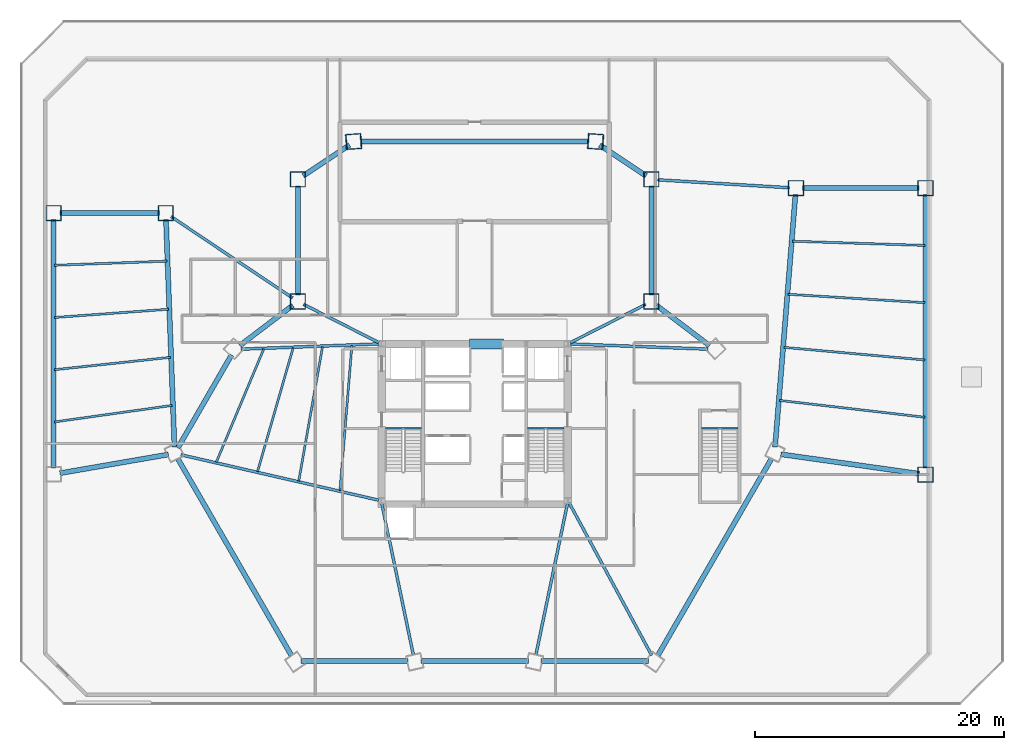
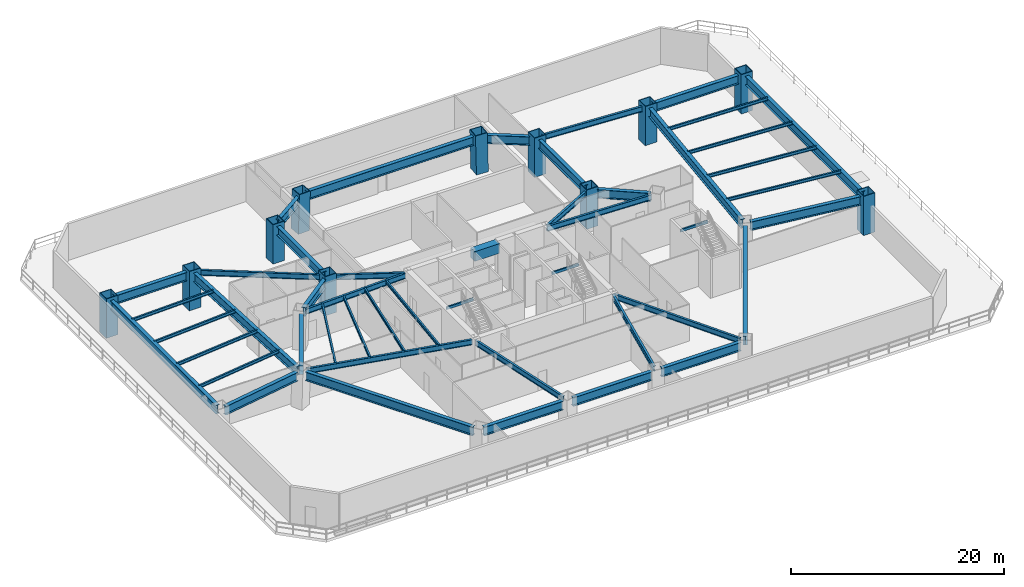
# One storey, part 3 of 13: 47 beams, 11 columns.
"""IFC4 building model written with IfcOpenShell, lengths in metres."""

from ifc_helpers import new_model, si_unit, direction, frame, origin, origin_2d, place, context, subcontext, project, spatial, rectangle, hollow_rectangle, i_section, extrude, source, transform, mapped, material, material_profile, profile_set, type_object, type_shapes, element, save


model = new_model("IFC4")

# Units and contexts
model_context = context("Model", 3, precision=1e-05, world=origin(), true_north=direction((0.0, 1.0)))
body_context = subcontext(model_context, "Body", "Model", "MODEL_VIEW")
ifc_project = project(units=[si_unit("LENGTHUNIT", "METRE"), si_unit("AREAUNIT", "SQUARE_METRE"), si_unit("VOLUMEUNIT", "CUBIC_METRE"), si_unit("PLANEANGLEUNIT", "RADIAN"), si_unit("MASSUNIT", "GRAM", prefix="KILO")], contexts=[model_context])

# Site, building, storey
site_placement = place(None, origin())
site = spatial("IfcSite", under=ifc_project, at=site_placement, CompositionType="ELEMENT")
building_placement = place(site_placement, origin())
building = spatial("IfcBuilding", under=site, at=building_placement, Name="Caelisora Broadcast Tower", CompositionType="ELEMENT")
storey_placement = place(building_placement, frame((0.0, 0.0, 10.199951171875)))
storey = spatial("IfcBuildingStorey", under=building, at=storey_placement, Name="L02", CompositionType="ELEMENT", Elevation=10.199951171875)

# Columns
ifc_material_1 = material(Name="Steel Grade 350 L15 (AS/NZS 3678)", Category="steel")
ifc_material_profile_1 = material_profile(ifc_material_1, hollow_rectangle(XDim=1.25, YDim=1.25, WallThickness=0.070068359375, at=origin_2d()), Name="Steel Grade 350 L15 (AS/NZS 3678)")
ifc_profile_set_1 = profile_set([ifc_material_profile_1], Name="Steel Grade 350 L15 (AS/NZS 3678)")
column_type = type_object("IfcColumnType", Name="MC02", PredefinedType="COLUMN", material=ifc_profile_set_1)
shared_shape_1 = source(origin(), body_context, "Body", "SweptSolid", [
    extrude(hollow_rectangle(XDim=1.25, YDim=1.25, WallThickness=0.070068359375, at=origin_2d()), origin(), (0.0, 0.0, 1.0), 4.501220703125),
])
for number, where, z_axis, x_axis, name in (
    (1, (47.727294921875, 46.241455078125, 0.0), (-0.023918900089, 0.001735611798, 0.999712395577), (-0.072372078217, -0.997377702926, 0.0), "L02 column MC02"),
    (2, (28.272705078125, 46.241455078125, 0.0), (0.023918900089, 0.001735611798, 0.999712395577), (-0.072372078217, 0.997377702926, 0.0), "L02 column MC02"),
):
    element("IfcColumn", number, at=place(storey_placement, frame(where, z_axis=z_axis, x_axis=x_axis)), inside=storey, type_object=column_type, Name=name, PredefinedType="COLUMN", context=body_context, shape_type="MappedRepresentation", body=[
        mapped(shared_shape_1, transform((0.0, 0.0, 0.0), scale=1.0)),
    ])
shared_shape_2 = source(origin(), body_context, "Body", "SweptSolid", [
    extrude(hollow_rectangle(XDim=1.25, YDim=1.25, WallThickness=0.070068359375, at=origin_2d()), origin(), (0.0, 0.0, 1.0), 4.5),
])
type_shapes(column_type, [shared_shape_1, shared_shape_2])
for number, where, z_axis, x_axis, name in (
    (3, (23.81103515625, 33.39990234375, 0.0), (0.0, 0.0, 1.0), (1.0, 0.0, 0.0), "L02 column MC02"),
    (4, (23.81103515625, 43.199951171875, 0.0), (0.0, 0.0, 1.0), (1.0, 0.0, 0.0), "L02 column MC02"),
    (5, (52.18896484375, 33.39990234375, 0.0), (0.0, 0.0, 1.0), (1.0, 0.0, 0.0), "L02 column MC02"),
    (6, (52.18896484375, 43.199951171875, 0.0), (0.0, 0.0, 1.0), (1.0, 0.0, 0.0), "L02 column MC02"),
    (7, (4.199951171875, 40.5, 0.0), (0.0, 0.0, 1.0), (1.0, 0.0, 0.0), "L02 column MC02"),
    (8, (74.199951171875, 19.5, 0.0), (0.0, 0.0, 1.0), (1.0, 0.0, 0.0), "L02 column MC02"),
    (9, (74.199951171875, 42.5, 0.0), (0.0, 0.0, 1.0), (1.0, 0.0, 0.0), "L02 column MC02"),
    (10, (13.199951171875, 40.5, 0.0), (0.0, 0.0, 1.0), (1.0, 0.0, 0.0), "L02 column MC02"),
    (11, (63.800048828125, 42.5, 0.0), (0.0, 0.0, 1.0), (1.0, 0.0, 0.0), "L02 column MC02"),
):
    element("IfcColumn", number, at=place(storey_placement, frame(where, z_axis=z_axis, x_axis=x_axis)), inside=storey, type_object=column_type, Name=name, PredefinedType="COLUMN", context=body_context, shape_type="MappedRepresentation", body=[
        mapped(shared_shape_2, transform((0.0, 0.0, 0.0), scale=1.0)),
    ])

# Beams
ifc_material_2 = material(Name="Steel Grade 350 (AS/NZS 1163 C350L0)", Category="steel")
ifc_material_profile_2 = material_profile(ifc_material_2, hollow_rectangle(XDim=0.14990234375, YDim=0.300048828125, WallThickness=0.010009765625, at=origin_2d()), Name="Steel Grade 350 (AS/NZS 1163 C350L0)")
ifc_profile_set_2 = profile_set([ifc_material_profile_2], Name="Steel Grade 350 (AS/NZS 1163 C350L0)")
beam_type_1 = type_object("IfcBeamType", Name="SB05", PredefinedType="JOIST", material=ifc_profile_set_2)
shared_shape_3 = source(origin(), body_context, "Body", "SweptSolid", [
    extrude(hollow_rectangle(XDim=0.14990234375, YDim=0.300048828125, WallThickness=0.010009765625, at=origin_2d()), origin(), (0.0, 0.0, 1.0), 2.89990234375),
])
for number, where, z_axis, x_axis, name in (
    (12, (30.840087890625, 23.219970703125, 4.030029296875), (1.0, 0.0, 0.0), (0.0, 1.0, 0.0), "L02 beam SB05"),
    (13, (42.260009765625, 23.219970703125, 4.030029296875), (1.0, 0.0, 0.0), (0.0, 1.0, 0.0), "L02 beam SB05"),
):
    element("IfcBeam", number, at=place(storey_placement, frame(where, z_axis=z_axis, x_axis=x_axis)), inside=storey, type_object=beam_type_1, Name=name, PredefinedType="JOIST", context=body_context, shape_type="MappedRepresentation", body=[
        mapped(shared_shape_3, transform((0.0, 0.0, 0.0), scale=1.0)),
    ])
ifc_material_3 = material(Name="Concrete 65 MPa (AS 3600 S65)", Category="concrete")
ifc_material_profile_3 = material_profile(ifc_material_3, rectangle(XDim=0.800048828125, YDim=1.10009765625, at=origin_2d()), Name="Concrete 65 MPa (AS 3600 S65)")
ifc_profile_set_3 = profile_set([ifc_material_profile_3], Name="Concrete 65 MPa (AS 3600 S65)")
beam_type_2 = type_object("IfcBeamType", Name="CB01", PredefinedType="LINTEL", material=ifc_profile_set_3)
shared_shape_4 = source(origin(), body_context, "Body", "SweptSolid", [
    extrude(rectangle(XDim=0.800048828125, YDim=1.10009765625, at=origin_2d()), origin(), (0.0, 0.0, 1.0), 2.699951171875),
])
type_shapes(beam_type_2, [shared_shape_4])
beam_1_placement = place(storey_placement, frame((37.60009765625, 30.0, 3.699951171875), z_axis=(1.0, 0.0, 0.0), x_axis=(0.0, 1.0, 0.0)))
element("IfcBeam", 14, at=beam_1_placement, inside=storey, type_object=beam_type_2, Name="L02 beam CB01", PredefinedType="LINTEL", context=body_context, shape_type="MappedRepresentation", body=[
    mapped(shared_shape_4, transform((0.0, 0.0, 0.0), scale=1.0)),
])
shared_shape_5 = source(origin(), body_context, "Body", "SweptSolid", [
    extrude(hollow_rectangle(XDim=0.14990234375, YDim=0.300048828125, WallThickness=0.010009765625, at=origin_2d()), origin(), (0.0, 0.0, 1.0), 2.9599609375),
])
type_shapes(beam_type_1, [shared_shape_3, shared_shape_5])
beam_2_placement = place(storey_placement, frame((56.199951171875, 23.219970703125, 4.030029296875), z_axis=(1.0, 0.0, 0.0), x_axis=(0.0, 1.0, 0.0)))
element("IfcBeam", 15, at=beam_2_placement, inside=storey, type_object=beam_type_1, Name="L02 beam SB05", PredefinedType="JOIST", context=body_context, shape_type="MappedRepresentation", body=[
    mapped(shared_shape_5, transform((0.0, 0.0, 0.0), scale=1.0)),
])
ifc_material_4 = material(Name="Steel Grade 350 (AS/NZS 3679.1)", Category="steel")
ifc_material_profile_4 = material_profile(ifc_material_4, i_section(OverallWidth=0.22900390625, OverallDepth=0.611572265625, WebThickness=0.011962890625, FlangeThickness=0.01953125, at=origin_2d()), Name="Steel Grade 350 (AS/NZS 3679.1)")
ifc_profile_set_4 = profile_set([ifc_material_profile_4], Name="Steel Grade 350 (AS/NZS 3679.1)")
beam_type_3 = type_object("IfcBeamType", Name="PG03", PredefinedType="BEAM", material=ifc_profile_set_4)
shared_shape_6 = source(origin(), body_context, "Body", "SweptSolid", [
    extrude(i_section(OverallWidth=0.22900390625, OverallDepth=0.611572265625, WebThickness=0.011962890625, FlangeThickness=0.01953125, at=origin_2d()), origin(), (0.0, 0.0, 1.0), 16.29736328125),
])
beam_3_placement = place(storey_placement, frame((30.30517578125, 17.44482421875, 3.874267578125), z_axis=(-0.974643563586, 0.223763097851, 0.0), x_axis=(-0.223763097851, -0.974643563586, 0.0)))
element("IfcBeam", 16, at=beam_3_placement, inside=storey, type_object=beam_type_3, Name="L02 beam PG03", PredefinedType="BEAM", context=body_context, shape_type="MappedRepresentation", body=[
    mapped(shared_shape_6, transform((0.0, 0.0, 0.0), scale=1.0)),
])
ifc_material_5 = material(Name="Steel Grade 350 (AS/NZS 3679.2)", Category="steel")
ifc_material_profile_5 = material_profile(ifc_material_5, i_section(OverallWidth=0.39990234375, OverallDepth=1.0, WebThickness=0.01611328125, FlangeThickness=0.028076171875, at=origin_2d()), Name="Steel Grade 350 (AS/NZS 3679.2)")
ifc_profile_set_5 = profile_set([ifc_material_profile_5], Name="Steel Grade 350 (AS/NZS 3679.2)")
beam_type_4 = type_object("IfcBeamType", Name="PG01", PredefinedType="BEAM", material=ifc_profile_set_5)
shared_shape_7 = source(origin(), body_context, "Body", "SweptSolid", [
    extrude(i_section(OverallWidth=0.39990234375, OverallDepth=1.0, WebThickness=0.01611328125, FlangeThickness=0.028076171875, at=origin_2d()), origin(), (0.0, 0.0, 1.0), 18.21435546875),
])
for number, where, z_axis, x_axis, name in (
    (17, (47.107177734375, 46.249267578125, 3.679931640625), (-1.0, 0.0, 0.0), (0.0, -1.0, 0.0), "L02 beam PG01"),
    (18, (14.177978515625, 20.762451171875, 3.679931640625), (0.499998208166, -0.866026438298, 0.0), (0.866026438298, 0.499998208166, 0.0), "L02 beam PG01"),
    (19, (52.71484375, 4.98828125, 3.679931640625), (0.499998208166, 0.866026438298, 0.0), (-0.866026438298, 0.499998208166, 0.0), "L02 beam PG01"),
):
    element("IfcBeam", number, at=place(storey_placement, frame(where, z_axis=z_axis, x_axis=x_axis)), inside=storey, type_object=beam_type_4, Name=name, PredefinedType="BEAM", context=body_context, shape_type="MappedRepresentation", body=[
        mapped(shared_shape_7, transform((0.0, 0.0, 0.0), scale=1.0)),
    ])
shared_shape_8 = source(origin(), body_context, "Body", "SweptSolid", [
    extrude(i_section(OverallWidth=0.39990234375, OverallDepth=1.0, WebThickness=0.01611328125, FlangeThickness=0.028076171875, at=origin_2d()), origin(), (0.0, 0.0, 1.0), 4.46826171875),
])
for number, where, z_axis, x_axis, name in (
    (20, (27.9541015625, 45.96484375, 3.679931640625), (-0.831806445177, -0.555065795885, 0.0), (0.555065795885, -0.831806445177, 0.0), "L02 beam PG01"),
    (21, (51.7626953125, 43.484619140625, 3.679931640625), (-0.831806445177, 0.555065795885, 0.0), (-0.555065795885, -0.831806445177, 0.0), "L02 beam PG01"),
):
    element("IfcBeam", number, at=place(storey_placement, frame(where, z_axis=z_axis, x_axis=x_axis)), inside=storey, type_object=beam_type_4, Name=name, PredefinedType="BEAM", context=body_context, shape_type="MappedRepresentation", body=[
        mapped(shared_shape_8, transform((0.0, 0.0, 0.0), scale=1.0)),
    ])
shared_shape_9 = source(origin(), body_context, "Body", "SweptSolid", [
    extrude(i_section(OverallWidth=0.39990234375, OverallDepth=1.0, WebThickness=0.01611328125, FlangeThickness=0.028076171875, at=origin_2d()), origin(), (0.0, 0.0, 1.0), 5.338134765625),
])
for number, where, z_axis, x_axis, name in (
    (22, (23.402587890625, 33.090087890625, 3.679931640625), (-0.796695067713, -0.604381476454, 0.0), (0.604381476454, -0.796695067713, 0.0), "L02 beam PG01"),
    (23, (56.850341796875, 29.86376953125, 3.679931640625), (-0.796695067713, 0.604381476454, 0.0), (-0.604381476454, -0.796695067713, 0.0), "L02 beam PG01"),
):
    element("IfcBeam", number, at=place(storey_placement, frame(where, z_axis=z_axis, x_axis=x_axis)), inside=storey, type_object=beam_type_4, Name=name, PredefinedType="BEAM", context=body_context, shape_type="MappedRepresentation", body=[
        mapped(shared_shape_9, transform((0.0, 0.0, 0.0), scale=1.0)),
    ])
shared_shape_10 = source(origin(), body_context, "Body", "SweptSolid", [
    extrude(i_section(OverallWidth=0.39990234375, OverallDepth=1.0, WebThickness=0.01611328125, FlangeThickness=0.028076171875, at=origin_2d()), origin(), (0.0, 0.0, 1.0), 8.6142578125),
])
for number, where, z_axis, x_axis, name in (
    (24, (18.485107421875, 29.110107421875, 3.679931640625), (-0.499998040713, -0.866026534977, 0.0), (0.866026534977, -0.499998040713, 0.0), "L02 beam PG01"),
    (25, (24.0537109375, 4.54443359375, 3.679931640625), (1.0, 0.0, 0.0), (0.0, 1.0, 0.0), "L02 beam PG01"),
    (26, (33.69287109375, 4.54443359375, 3.679931640625), (1.0, 0.0, 0.0), (0.0, 1.0, 0.0), "L02 beam PG01"),
    (27, (43.33203125, 4.54443359375, 3.679931640625), (1.0, 0.0, 0.0), (0.0, 1.0, 0.0), "L02 beam PG01"),
):
    element("IfcBeam", number, at=place(storey_placement, frame(where, z_axis=z_axis, x_axis=x_axis)), inside=storey, type_object=beam_type_4, Name=name, PredefinedType="BEAM", context=body_context, shape_type="MappedRepresentation", body=[
        mapped(shared_shape_10, transform((0.0, 0.0, 0.0), scale=1.0)),
    ])
shared_shape_11 = source(origin(), body_context, "Body", "SweptSolid", [
    extrude(i_section(OverallWidth=0.39990234375, OverallDepth=1.0, WebThickness=0.01611328125, FlangeThickness=0.028076171875, at=origin_2d()), origin(), (0.0, 0.0, 1.0), 11.21630859375),
])
beam_4_placement = place(storey_placement, frame((62.585693359375, 21.134765625, 3.679931640625), z_axis=(0.99023691789, -0.139394571081, 0.0), x_axis=(0.139394571081, 0.99023691789, 0.0)))
element("IfcBeam", 28, at=beam_4_placement, inside=storey, type_object=beam_type_4, Name="L02 beam PG01", PredefinedType="BEAM", context=body_context, shape_type="MappedRepresentation", body=[
    mapped(shared_shape_11, transform((0.0, 0.0, 0.0), scale=1.0)),
])
shared_shape_12 = source(origin(), body_context, "Body", "SweptSolid", [
    extrude(i_section(OverallWidth=0.22900390625, OverallDepth=0.611572265625, WebThickness=0.011962890625, FlangeThickness=0.01953125, at=origin_2d()), origin(), (0.0, 0.0, 1.0), 12.41943359375),
])
for number, where, z_axis, x_axis, name in (
    (29, (30.540771484375, 17.2041015625, 3.874267578125), (0.204108898774, -0.978948189355, 0.0), (0.978948189355, 0.204108898774, 0.0), "L02 beam PG03"),
    (30, (45.459228515625, 17.2041015625, 3.874267578125), (-0.204108898774, -0.978948189355, 0.0), (0.978948189355, -0.204108898774, 0.0), "L02 beam PG03"),
):
    element("IfcBeam", number, at=place(storey_placement, frame(where, z_axis=z_axis, x_axis=x_axis)), inside=storey, type_object=beam_type_3, Name=name, PredefinedType="BEAM", context=body_context, shape_type="MappedRepresentation", body=[
        mapped(shared_shape_12, transform((0.0, 0.0, 0.0), scale=1.0)),
    ])
shared_shape_13 = source(origin(), body_context, "Body", "SweptSolid", [
    extrude(i_section(OverallWidth=0.22900390625, OverallDepth=0.611572265625, WebThickness=0.011962890625, FlangeThickness=0.01953125, at=origin_2d()), origin(), (0.0, 0.0, 1.0), 13.905517578125),
])
beam_5_placement = place(storey_placement, frame((45.59521484375, 17.22412109375, 3.874267578125), z_axis=(0.476024084909, -0.879432243318, 0.0), x_axis=(0.879432243318, 0.476024084909, 0.0)))
element("IfcBeam", 31, at=beam_5_placement, inside=storey, type_object=beam_type_3, Name="L02 beam PG03", PredefinedType="BEAM", context=body_context, shape_type="MappedRepresentation", body=[
    mapped(shared_shape_13, transform((0.0, 0.0, 0.0), scale=1.0)),
])
shared_shape_14 = source(origin(), body_context, "Body", "SweptSolid", [
    extrude(i_section(OverallWidth=0.22900390625, OverallDepth=0.611572265625, WebThickness=0.011962890625, FlangeThickness=0.01953125, at=origin_2d()), origin(), (0.0, 0.0, 1.0), 6.791015625),
])
for number, where, z_axis, x_axis, name in (
    (32, (45.67822265625, 30.090576171875, 3.874267578125), (0.891452572776, 0.453114014892, 0.0), (-0.453114014892, 0.891452572776, 0.0), "L02 beam PG03"),
    (33, (30.32177734375, 30.090576171875, 3.874267578125), (-0.891452572776, 0.453114014892, 0.0), (-0.453114014892, -0.891452572776, 0.0), "L02 beam PG03"),
):
    element("IfcBeam", number, at=place(storey_placement, frame(where, z_axis=z_axis, x_axis=x_axis)), inside=storey, type_object=beam_type_3, Name=name, PredefinedType="BEAM", context=body_context, shape_type="MappedRepresentation", body=[
        mapped(shared_shape_14, transform((0.0, 0.0, 0.0), scale=1.0)),
    ])
shared_shape_15 = source(origin(), body_context, "Body", "SweptSolid", [
    extrude(i_section(OverallWidth=0.22900390625, OverallDepth=0.611572265625, WebThickness=0.011962890625, FlangeThickness=0.01953125, at=origin_2d()), origin(), (0.0, 0.0, 1.0), 11.0546875),
])
for number, where, z_axis, x_axis, name in (
    (34, (45.699951171875, 29.992431640625, 3.874267578125), (0.999280779118, -0.037919974755, 0.0), (0.037919974755, 0.999280779118, 0.0), "L02 beam PG03"),
    (35, (19.25341796875, 29.5732421875, 3.874267578125), (0.999280779118, 0.037919974755, 0.0), (-0.037919974755, 0.999280779118, 0.0), "L02 beam PG03"),
):
    element("IfcBeam", number, at=place(storey_placement, frame(where, z_axis=z_axis, x_axis=x_axis)), inside=storey, type_object=beam_type_3, Name=name, PredefinedType="BEAM", context=body_context, shape_type="MappedRepresentation", body=[
        mapped(shared_shape_15, transform((0.0, 0.0, 0.0), scale=1.0)),
    ])
shared_shape_16 = source(origin(), body_context, "Body", "SweptSolid", [
    extrude(i_section(OverallWidth=0.39990234375, OverallDepth=1.0, WebThickness=0.01611328125, FlangeThickness=0.028076171875, at=origin_2d()), origin(), (0.0, 0.0, 1.0), 8.8408203125),
])
beam_6_placement = place(storey_placement, frame((4.705078125, 19.61328125, 3.679931640625), z_axis=(0.985391795563, 0.170302698855, 0.0), x_axis=(-0.170302698855, 0.985391795563, 0.0)))
element("IfcBeam", 36, at=beam_6_placement, inside=storey, type_object=beam_type_4, Name="L02 beam PG01", PredefinedType="BEAM", context=body_context, shape_type="MappedRepresentation", body=[
    mapped(shared_shape_16, transform((0.0, 0.0, 0.0), scale=1.0)),
])
shared_shape_17 = source(origin(), body_context, "Body", "SweptSolid", [
    extrude(i_section(OverallWidth=0.39990234375, OverallDepth=1.0, WebThickness=0.01611328125, FlangeThickness=0.028076171875, at=origin_2d()), origin(), (0.0, 0.0, 1.0), 7.97509765625),
])
beam_7_placement = place(storey_placement, frame((4.71240234375, 40.5, 3.679931640625), z_axis=(1.0, 0.0, 0.0), x_axis=(0.0, 1.0, 0.0)))
element("IfcBeam", 37, at=beam_7_placement, inside=storey, type_object=beam_type_4, Name="L02 beam PG01", PredefinedType="BEAM", context=body_context, shape_type="MappedRepresentation", body=[
    mapped(shared_shape_17, transform((0.0, 0.0, 0.0), scale=1.0)),
])
shared_shape_18 = source(origin(), body_context, "Body", "SweptSolid", [
    extrude(i_section(OverallWidth=0.39990234375, OverallDepth=1.0, WebThickness=0.01611328125, FlangeThickness=0.028076171875, at=origin_2d()), origin(), (0.0, 0.0, 1.0), 19.948974609375),
])
beam_8_placement = place(storey_placement, frame((4.199951171875, 20.03857421875, 3.679931640625), z_axis=(0.0, 1.0, 0.0), x_axis=(-1.0, 0.0, 0.0)))
element("IfcBeam", 38, at=beam_8_placement, inside=storey, type_object=beam_type_4, Name="L02 beam PG01", PredefinedType="BEAM", context=body_context, shape_type="MappedRepresentation", body=[
    mapped(shared_shape_18, transform((0.0, 0.0, 0.0), scale=1.0)),
])
shared_shape_19 = source(origin(), body_context, "Body", "SweptSolid", [
    extrude(i_section(OverallWidth=0.22900390625, OverallDepth=0.611572265625, WebThickness=0.011962890625, FlangeThickness=0.01953125, at=origin_2d()), origin(), (0.0, 0.0, 1.0), 11.7421875),
])
beam_9_placement = place(storey_placement, frame((13.6259765625, 40.215087890625, 3.874267578125), z_axis=(0.831105468417, -0.556114826602, 0.0), x_axis=(0.556114826602, 0.831105468417, 0.0)))
element("IfcBeam", 39, at=beam_9_placement, inside=storey, type_object=beam_type_3, Name="L02 beam PG03", PredefinedType="BEAM", context=body_context, shape_type="MappedRepresentation", body=[
    mapped(shared_shape_19, transform((0.0, 0.0, 0.0), scale=1.0)),
])
shared_shape_20 = source(origin(), body_context, "Body", "SweptSolid", [
    extrude(i_section(OverallWidth=0.39990234375, OverallDepth=1.0, WebThickness=0.01611328125, FlangeThickness=0.028076171875, at=origin_2d()), origin(), (0.0, 0.0, 1.0), 18.2822265625),
])
beam_10_placement = place(storey_placement, frame((13.902587890625, 21.71826171875, 3.679931640625), z_axis=(-0.037377647146, 0.999301211594, 0.0), x_axis=(-0.999301211594, -0.037377647146, 0.0)))
element("IfcBeam", 40, at=beam_10_placement, inside=storey, type_object=beam_type_4, Name="L02 beam PG01", PredefinedType="BEAM", context=body_context, shape_type="MappedRepresentation", body=[
    mapped(shared_shape_20, transform((0.0, 0.0, 0.0), scale=1.0)),
])
shared_shape_21 = source(origin(), body_context, "Body", "SweptSolid", [
    extrude(i_section(OverallWidth=0.39990234375, OverallDepth=1.0, WebThickness=0.01611328125, FlangeThickness=0.028076171875, at=origin_2d()), origin(), (0.0, 0.0, 1.0), 9.375),
])
beam_11_placement = place(storey_placement, frame((64.3125, 42.5, 3.679931640625), z_axis=(1.0, 0.0, 0.0), x_axis=(0.0, 1.0, 0.0)))
element("IfcBeam", 41, at=beam_11_placement, inside=storey, type_object=beam_type_4, Name="L02 beam PG01", PredefinedType="BEAM", context=body_context, shape_type="MappedRepresentation", body=[
    mapped(shared_shape_21, transform((0.0, 0.0, 0.0), scale=1.0)),
])
shared_shape_22 = source(origin(), body_context, "Body", "SweptSolid", [
    extrude(i_section(OverallWidth=0.39990234375, OverallDepth=1.0, WebThickness=0.01611328125, FlangeThickness=0.028076171875, at=origin_2d()), origin(), (0.0, 0.0, 1.0), 21.97509765625),
])
beam_12_placement = place(storey_placement, frame((74.199951171875, 20.012451171875, 3.679931640625), z_axis=(0.0, 1.0, 0.0), x_axis=(-1.0, 0.0, 0.0)))
element("IfcBeam", 42, at=beam_12_placement, inside=storey, type_object=beam_type_4, Name="L02 beam PG01", PredefinedType="BEAM", context=body_context, shape_type="MappedRepresentation", body=[
    mapped(shared_shape_22, transform((0.0, 0.0, 0.0), scale=1.0)),
])
shared_shape_23 = source(origin(), body_context, "Body", "SweptSolid", [
    extrude(i_section(OverallWidth=0.39990234375, OverallDepth=1.0, WebThickness=0.01611328125, FlangeThickness=0.028076171875, at=origin_2d()), origin(), (0.0, 0.0, 1.0), 20.33837890625),
])
beam_13_placement = place(storey_placement, frame((62.11962890625, 21.717041015625, 3.679931640625), z_axis=(0.080594438546, 0.996746977159, 0.0), x_axis=(-0.996746977159, 0.080594438546, 0.0)))
element("IfcBeam", 43, at=beam_13_placement, inside=storey, type_object=beam_type_4, Name="L02 beam PG01", PredefinedType="BEAM", context=body_context, shape_type="MappedRepresentation", body=[
    mapped(shared_shape_23, transform((0.0, 0.0, 0.0), scale=1.0)),
])
shared_shape_24 = source(origin(), body_context, "Body", "SweptSolid", [
    extrude(i_section(OverallWidth=0.22900390625, OverallDepth=0.611572265625, WebThickness=0.011962890625, FlangeThickness=0.01953125, at=origin_2d()), origin(), (0.0, 0.0, 1.0), 10.60693359375),
])
type_shapes(beam_type_3, [shared_shape_6, shared_shape_12, shared_shape_13, shared_shape_14, shared_shape_15, shared_shape_19, shared_shape_24])
beam_14_placement = place(storey_placement, frame((52.70068359375, 43.169189453125, 3.874267578125), z_axis=(0.998186939581, -0.060189979639, 0.0), x_axis=(0.060189979639, 0.998186939581, 0.0)))
element("IfcBeam", 44, at=beam_14_placement, inside=storey, type_object=beam_type_3, Name="L02 beam PG03", PredefinedType="BEAM", context=body_context, shape_type="MappedRepresentation", body=[
    mapped(shared_shape_24, transform((0.0, 0.0, 0.0), scale=1.0)),
])
shared_shape_25 = source(origin(), body_context, "Body", "SweptSolid", [
    extrude(i_section(OverallWidth=0.39990234375, OverallDepth=1.0, WebThickness=0.01611328125, FlangeThickness=0.028076171875, at=origin_2d()), origin(), (0.0, 0.0, 1.0), 8.77490234375),
])
type_shapes(beam_type_4, [shared_shape_7, shared_shape_8, shared_shape_9, shared_shape_10, shared_shape_11, shared_shape_16, shared_shape_17, shared_shape_18, shared_shape_20, shared_shape_21, shared_shape_22, shared_shape_23, shared_shape_25])
for number, where, z_axis, x_axis, name in (
    (45, (23.81103515625, 33.91259765625, 3.679931640625), (0.0, 1.0, 0.0), (-1.0, 0.0, 0.0), "L02 beam PG01"),
    (46, (52.18896484375, 33.91259765625, 3.679931640625), (0.0, 1.0, 0.0), (-1.0, 0.0, 0.0), "L02 beam PG01"),
):
    element("IfcBeam", number, at=place(storey_placement, frame(where, z_axis=z_axis, x_axis=x_axis)), inside=storey, type_object=beam_type_4, Name=name, PredefinedType="BEAM", context=body_context, shape_type="MappedRepresentation", body=[
        mapped(shared_shape_25, transform((0.0, 0.0, 0.0), scale=1.0)),
    ])
ifc_material_profile_6 = material_profile(ifc_material_4, i_section(OverallWidth=0.172119140625, OverallDepth=0.358642578125, WebThickness=0.008056640625, FlangeThickness=0.012939453125, at=origin_2d()), Name="Steel Grade 350 (AS/NZS 3679.1)")
ifc_profile_set_6 = profile_set([ifc_material_profile_6], Name="Steel Grade 350 (AS/NZS 3679.1)")
beam_type_5 = type_object("IfcBeamType", Name="SB02", PredefinedType="JOIST", material=ifc_profile_set_6)
shared_shape_26 = source(origin(), body_context, "Body", "SweptSolid", [
    extrude(i_section(OverallWidth=0.172119140625, OverallDepth=0.358642578125, WebThickness=0.008056640625, FlangeThickness=0.012939453125, at=origin_2d()), origin(), (0.0, 0.0, 1.0), 9.853759765625),
])
beam_15_placement = place(storey_placement, frame((17.260498046875, 20.500244140625, 4.000732421875), z_axis=(0.386586652069, 0.922253089147, 0.0), x_axis=(-0.922253089147, 0.386586652069, 0.0)))
element("IfcBeam", 47, at=beam_15_placement, inside=storey, type_object=beam_type_5, Name="L02 beam SB02", PredefinedType="JOIST", context=body_context, shape_type="MappedRepresentation", body=[
    mapped(shared_shape_26, transform((0.0, 0.0, 0.0), scale=1.0)),
])
shared_shape_27 = source(origin(), body_context, "Body", "SweptSolid", [
    extrude(i_section(OverallWidth=0.172119140625, OverallDepth=0.358642578125, WebThickness=0.008056640625, FlangeThickness=0.012939453125, at=origin_2d()), origin(), (0.0, 0.0, 1.0), 10.33642578125),
])
beam_16_placement = place(storey_placement, frame((20.569580078125, 19.741455078125, 4.000732421875), z_axis=(0.276558027219, 0.960997220381, 0.0), x_axis=(-0.960997220381, 0.276558027219, 0.0)))
element("IfcBeam", 48, at=beam_16_placement, inside=storey, type_object=beam_type_5, Name="L02 beam SB02", PredefinedType="JOIST", context=body_context, shape_type="MappedRepresentation", body=[
    mapped(shared_shape_27, transform((0.0, 0.0, 0.0), scale=1.0)),
])
shared_shape_28 = source(origin(), body_context, "Body", "SweptSolid", [
    extrude(i_section(OverallWidth=0.172119140625, OverallDepth=0.358642578125, WebThickness=0.008056640625, FlangeThickness=0.012939453125, at=origin_2d()), origin(), (0.0, 0.0, 1.0), 10.9482421875),
])
beam_17_placement = place(storey_placement, frame((23.879150390625, 18.981689453125, 4.000732421875), z_axis=(0.174183497799, 0.984713211598, 0.0), x_axis=(-0.984713211598, 0.174183497799, 0.0)))
element("IfcBeam", 49, at=beam_17_placement, inside=storey, type_object=beam_type_5, Name="L02 beam SB02", PredefinedType="JOIST", context=body_context, shape_type="MappedRepresentation", body=[
    mapped(shared_shape_28, transform((0.0, 0.0, 0.0), scale=1.0)),
])
shared_shape_29 = source(origin(), body_context, "Body", "SweptSolid", [
    extrude(i_section(OverallWidth=0.172119140625, OverallDepth=0.358642578125, WebThickness=0.008056640625, FlangeThickness=0.012939453125, at=origin_2d()), origin(), (0.0, 0.0, 1.0), 11.669189453125),
])
beam_18_placement = place(storey_placement, frame((27.189208984375, 18.220947265625, 4.000732421875), z_axis=(0.081762399597, 0.996651849952, 0.0), x_axis=(-0.996651849952, 0.081762399597, 0.0)))
element("IfcBeam", 50, at=beam_18_placement, inside=storey, type_object=beam_type_5, Name="L02 beam SB02", PredefinedType="JOIST", context=body_context, shape_type="MappedRepresentation", body=[
    mapped(shared_shape_29, transform((0.0, 0.0, 0.0), scale=1.0)),
])
shared_shape_30 = source(origin(), body_context, "Body", "SweptSolid", [
    extrude(i_section(OverallWidth=0.172119140625, OverallDepth=0.358642578125, WebThickness=0.008056640625, FlangeThickness=0.012939453125, at=origin_2d()), origin(), (0.0, 0.0, 1.0), 9.55126953125),
])
beam_19_placement = place(storey_placement, frame((4.259521484375, 23.72900390625, 4.000732421875), z_axis=(0.990292125362, 0.139001821737, 0.0), x_axis=(-0.139001821737, 0.990292125362, 0.0)))
element("IfcBeam", 51, at=beam_19_placement, inside=storey, type_object=beam_type_5, Name="L02 beam SB02", PredefinedType="JOIST", context=body_context, shape_type="MappedRepresentation", body=[
    mapped(shared_shape_30, transform((0.0, 0.0, 0.0), scale=1.0)),
])
shared_shape_31 = source(origin(), body_context, "Body", "SweptSolid", [
    extrude(i_section(OverallWidth=0.172119140625, OverallDepth=0.358642578125, WebThickness=0.008056640625, FlangeThickness=0.012939453125, at=origin_2d()), origin(), (0.0, 0.0, 1.0), 9.36669921875),
])
beam_20_placement = place(storey_placement, frame((4.259765625, 27.922119140625, 4.000732421875), z_axis=(0.994340565655, 0.106239538274, 0.0), x_axis=(-0.106239538274, 0.994340565655, 0.0)))
element("IfcBeam", 52, at=beam_20_placement, inside=storey, type_object=beam_type_5, Name="L02 beam SB02", PredefinedType="JOIST", context=body_context, shape_type="MappedRepresentation", body=[
    mapped(shared_shape_31, transform((0.0, 0.0, 0.0), scale=1.0)),
])
shared_shape_32 = source(origin(), body_context, "Body", "SweptSolid", [
    extrude(i_section(OverallWidth=0.172119140625, OverallDepth=0.358642578125, WebThickness=0.008056640625, FlangeThickness=0.012939453125, at=origin_2d()), origin(), (0.0, 0.0, 1.0), 9.19287109375),
])
beam_21_placement = place(storey_placement, frame((4.259765625, 32.11474609375, 4.000732421875), z_axis=(0.997391395113, 0.072183134836, 0.0), x_axis=(-0.072183134836, 0.997391395113, 0.0)))
element("IfcBeam", 53, at=beam_21_placement, inside=storey, type_object=beam_type_5, Name="L02 beam SB02", PredefinedType="JOIST", context=body_context, shape_type="MappedRepresentation", body=[
    mapped(shared_shape_32, transform((0.0, 0.0, 0.0), scale=1.0)),
])
shared_shape_33 = source(origin(), body_context, "Body", "SweptSolid", [
    extrude(i_section(OverallWidth=0.172119140625, OverallDepth=0.358642578125, WebThickness=0.008056640625, FlangeThickness=0.012939453125, at=origin_2d()), origin(), (0.0, 0.0, 1.0), 9.030517578125),
])
beam_22_placement = place(storey_placement, frame((4.260009765625, 36.307373046875, 4.000732421875), z_axis=(0.999325825591, 0.036713680098, 0.0), x_axis=(-0.036713680098, 0.999325825591, 0.0)))
element("IfcBeam", 54, at=beam_22_placement, inside=storey, type_object=beam_type_5, Name="L02 beam SB02", PredefinedType="JOIST", context=body_context, shape_type="MappedRepresentation", body=[
    mapped(shared_shape_33, transform((0.0, 0.0, 0.0), scale=1.0)),
])
shared_shape_34 = source(origin(), body_context, "Body", "SweptSolid", [
    extrude(i_section(OverallWidth=0.172119140625, OverallDepth=0.358642578125, WebThickness=0.008056640625, FlangeThickness=0.012939453125, at=origin_2d()), origin(), (0.0, 0.0, 1.0), 11.736328125),
])
beam_23_placement = place(storey_placement, frame((62.482177734375, 25.4580078125, 4.000732421875), z_axis=(0.993351598193, -0.115119947738, 0.0), x_axis=(0.115119947738, 0.993351598193, 0.0)))
element("IfcBeam", 55, at=beam_23_placement, inside=storey, type_object=beam_type_5, Name="L02 beam SB02", PredefinedType="JOIST", context=body_context, shape_type="MappedRepresentation", body=[
    mapped(shared_shape_34, transform((0.0, 0.0, 0.0), scale=1.0)),
])
shared_shape_35 = source(origin(), body_context, "Body", "SweptSolid", [
    extrude(i_section(OverallWidth=0.172119140625, OverallDepth=0.358642578125, WebThickness=0.008056640625, FlangeThickness=0.012939453125, at=origin_2d()), origin(), (0.0, 0.0, 1.0), 11.358642578125),
])
beam_24_placement = place(storey_placement, frame((62.82666015625, 29.718505859375, 4.000732421875), z_axis=(0.996013870968, -0.089198480028, 0.0), x_axis=(0.089198480028, 0.996013870968, 0.0)))
element("IfcBeam", 56, at=beam_24_placement, inside=storey, type_object=beam_type_5, Name="L02 beam SB02", PredefinedType="JOIST", context=body_context, shape_type="MappedRepresentation", body=[
    mapped(shared_shape_35, transform((0.0, 0.0, 0.0), scale=1.0)),
])
shared_shape_36 = source(origin(), body_context, "Body", "SweptSolid", [
    extrude(i_section(OverallWidth=0.172119140625, OverallDepth=0.358642578125, WebThickness=0.008056640625, FlangeThickness=0.012939453125, at=origin_2d()), origin(), (0.0, 0.0, 1.0), 10.98974609375),
])
beam_25_placement = place(storey_placement, frame((63.171142578125, 33.978759765625, 4.000732421875), z_axis=(0.998111681342, -0.061425333279, 0.0), x_axis=(0.061425333279, 0.998111681342, 0.0)))
element("IfcBeam", 57, at=beam_25_placement, inside=storey, type_object=beam_type_5, Name="L02 beam SB02", PredefinedType="JOIST", context=body_context, shape_type="MappedRepresentation", body=[
    mapped(shared_shape_36, transform((0.0, 0.0, 0.0), scale=1.0)),
])
shared_shape_37 = source(origin(), body_context, "Body", "SweptSolid", [
    extrude(i_section(OverallWidth=0.172119140625, OverallDepth=0.358642578125, WebThickness=0.008056640625, FlangeThickness=0.012939453125, at=origin_2d()), origin(), (0.0, 0.0, 1.0), 10.629638671875),
])
type_shapes(beam_type_5, [shared_shape_26, shared_shape_27, shared_shape_28, shared_shape_29, shared_shape_30, shared_shape_31, shared_shape_32, shared_shape_33, shared_shape_34, shared_shape_35, shared_shape_36, shared_shape_37])
beam_26_placement = place(storey_placement, frame((63.515625, 38.2392578125, 4.000732421875), z_axis=(0.999496105243, -0.031741701345, 0.0), x_axis=(0.031741701345, 0.999496105243, 0.0)))
element("IfcBeam", 58, at=beam_26_placement, inside=storey, type_object=beam_type_5, Name="L02 beam SB02", PredefinedType="JOIST", context=body_context, shape_type="MappedRepresentation", body=[
    mapped(shared_shape_37, transform((0.0, 0.0, 0.0), scale=1.0)),
])

save(model, "model.ifc")
